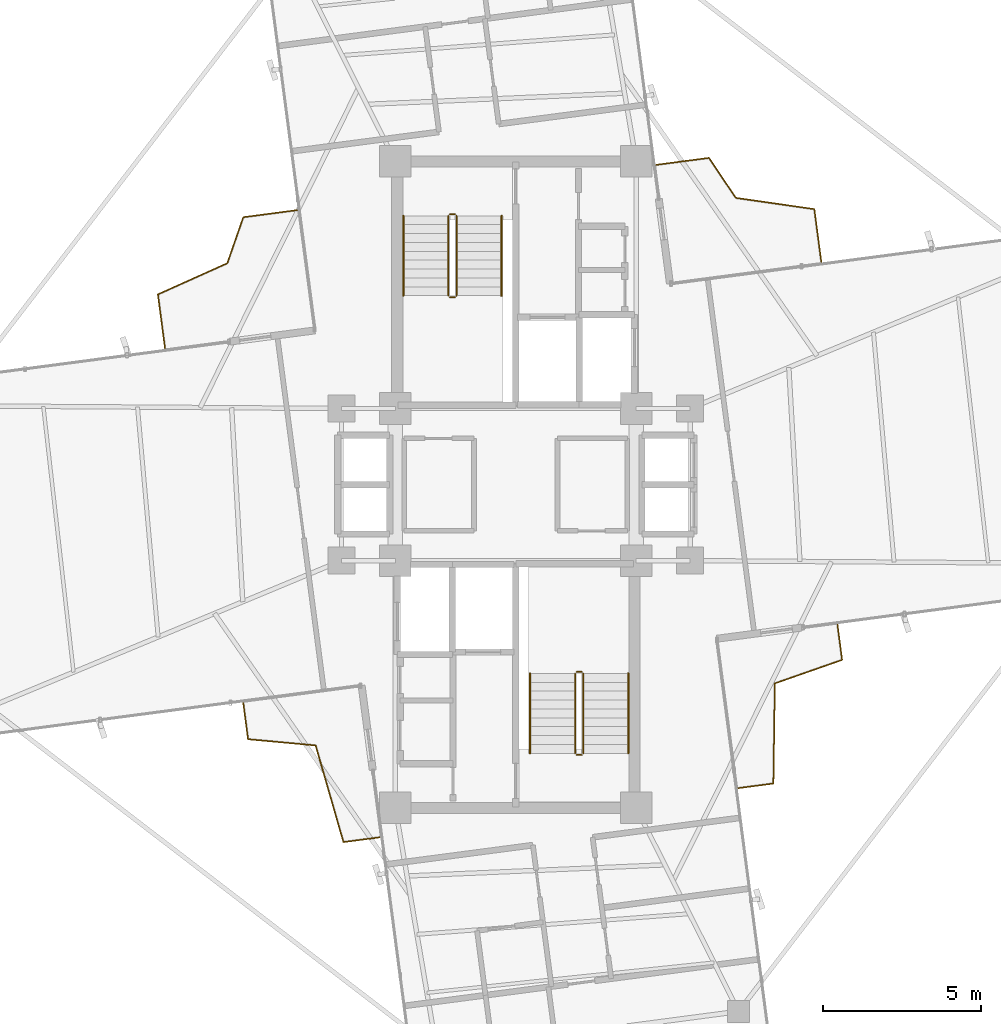
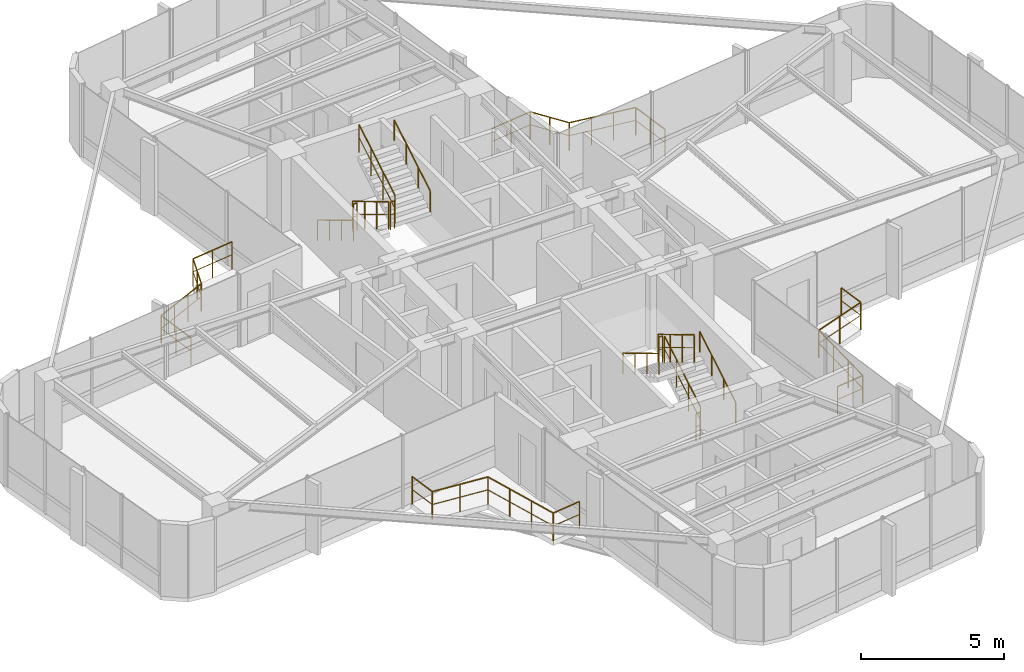
# One storey, part 21 of 21: 16 railings.
"""IFC4 building model written with IfcOpenShell, lengths in metres."""

import ifcopenshell
import ifcopenshell.guid

model = None  # the IFC model being written
_history = None  # IfcOwnerHistory: only IFC2X3 demands one
_inside = {}  # id of a spatial element -> (the spatial element, [elements in it])
_under = {}  # id of a project, library or spatial element -> (it, [spatial elements below it])
_declared = {}  # id of a project -> (the project, [libraries it declares])
_typed = {}  # id of a type object -> (the type object, [elements of that type])
_made_of = {}  # id of a material, layer set ... -> (it, [elements and type objects made of it])


def new_model(schema):
    """Start an empty IFC model of exactly this schema.

    Asked for "IFC4X3", IfcOpenShell would pick the latest addendum, in which some entities
    have other attributes; the version numbers below select the first issue.
    IFC2X3 requires an IfcOwnerHistory on every rooted entity: one is made here for all.
    """
    global model, _history
    if schema == "IFC4X3":
        model = ifcopenshell.file(schema_version=(4, 3, 0, 0))
    else:
        model = ifcopenshell.file(schema=schema)
    _inside.clear()
    _under.clear()
    _declared.clear()
    _typed.clear()
    _made_of.clear()
    _history = None
    if model.schema == "IFC2X3":
        org = make("IfcOrganization", Name="unknown")
        user = make(
            "IfcPersonAndOrganization",
            ThePerson=make("IfcPerson", FamilyName="unknown"),
            TheOrganization=org,
        )
        app = make(
            "IfcApplication",
            ApplicationDeveloper=org,
            Version="unknown",
            ApplicationFullName="unknown",
            ApplicationIdentifier="unknown",
        )
        _history = make(
            "IfcOwnerHistory",
            OwningUser=user,
            OwningApplication=app,
            ChangeAction="ADDED",
            CreationDate=0,
        )
    return model


def make(cls, **values):
    """One entity of the class cls with the attributes given. An attribute that is None is left unset."""
    return model.create_entity(
        cls, **{name: value for name, value in values.items() if value is not None}
    )


def rooted(cls, **values):
    """An entity with a GlobalId (a new one), such as an element, a storey or a relation."""
    return make(cls, GlobalId=ifcopenshell.guid.new(), OwnerHistory=_history, **values)


def si_unit(unit_type, name, prefix=None):
    """IfcSIUnit, for example si_unit("LENGTHUNIT", "METRE", prefix="MILLI")."""
    return make("IfcSIUnit", UnitType=unit_type, Prefix=prefix, Name=name)


def assignment(units):
    """IfcUnitAssignment: the units of a project."""
    return None if units is None else make("IfcUnitAssignment", Units=units)


def point(xyz):
    """IfcCartesianPoint."""
    return None if xyz is None else make("IfcCartesianPoint", Coordinates=xyz)


def direction(xyz):
    """IfcDirection."""
    return None if xyz is None else make("IfcDirection", DirectionRatios=xyz)


def frame(location, z_axis=None, x_axis=None):
    """IfcAxis2Placement3D, a coordinate frame: its origin and axes. An axis left out is left unset."""
    return make(
        "IfcAxis2Placement3D",
        Location=point(location),
        Axis=direction(z_axis),
        RefDirection=direction(x_axis),
    )


def frame_2d(location, x_axis=None):
    """IfcAxis2Placement2D, a coordinate frame in the plane: its origin and x axis."""
    return make(
        "IfcAxis2Placement2D", Location=point(location), RefDirection=direction(x_axis)
    )


def origin():
    """The frame at (0, 0, 0) with its axes left unset."""
    return frame((0.0, 0.0, 0.0))


def origin_2d():
    """The frame at (0, 0) in the plane with its x axis left unset."""
    return frame_2d((0.0, 0.0))


def place(relative_to, where):
    """IfcLocalPlacement: puts the frame where relative to a parent placement (None: the world)."""
    return make(
        "IfcLocalPlacement", PlacementRelTo=relative_to, RelativePlacement=where
    )


def context(
    kind, dimensions, precision=None, world=None, true_north=None, identifier=None
):
    """IfcGeometricRepresentationContext, for example the 3D "Model" context."""
    return make(
        "IfcGeometricRepresentationContext",
        ContextIdentifier=identifier,
        ContextType=kind,
        CoordinateSpaceDimension=dimensions,
        Precision=precision,
        WorldCoordinateSystem=world,
        TrueNorth=true_north,
    )


def subcontext(parent, identifier, kind, view, scale=None):
    """IfcGeometricRepresentationSubContext, for example "Body" below "Model"."""
    return make(
        "IfcGeometricRepresentationSubContext",
        ContextIdentifier=identifier,
        ContextType=kind,
        ParentContext=parent,
        TargetScale=scale,
        TargetView=view,
    )


def project(units=None, contexts=None):
    """IfcProject with its units and contexts."""
    return rooted(
        "IfcProject",
        Name="project",
        RepresentationContexts=contexts,
        UnitsInContext=assignment(units),
    )


def spatial(cls, under=None, at=None, **own):
    """A site, building, storey or space (cls), placed at a placement, below another one or the project."""
    s = rooted(cls, ObjectPlacement=at, **own)
    if under is not None:
        _under.setdefault(under.id(), (under, []))[1].append(s)
    return s


def profile(cls, at=None, kind="AREA", **sizes):
    """A parametric profile (cls). Its sizes go by their IFC names, for example OverallWidth=200.0."""
    return make(cls, ProfileType=kind, Position=at, **sizes)


def circle(**sizes):
    """IfcCircleProfileDef."""
    return profile("IfcCircleProfileDef", **sizes)


def extrude(swept, where, along, depth):
    """IfcExtrudedAreaSolid: the profile swept, set in the frame where, extruded along a direction by depth."""
    return make(
        "IfcExtrudedAreaSolid",
        SweptArea=swept,
        Position=where,
        ExtrudedDirection=direction(along),
        Depth=depth,
    )


def shape(context_of_items, identifier, shape_type, items):
    """IfcShapeRepresentation: the items that make up one representation, for example the "Body"."""
    return make(
        "IfcShapeRepresentation",
        ContextOfItems=context_of_items,
        RepresentationIdentifier=identifier,
        RepresentationType=shape_type,
        Items=items,
    )


def material(Name=None, Category=None):
    """IfcMaterial."""
    return make("IfcMaterial", Name=Name, Category=Category)


def made_of(thing, what):
    """Note that an element or type object is made of a material, layer set ...; save() writes the relation."""
    if what is not None:
        _made_of.setdefault(what.id(), (what, []))[1].append(thing)
    return thing


def type_object(cls, material=None, **own):
    """A type object (cls), such as IfcWallType, which elements share."""
    return made_of(rooted(cls, **own), material)


def element(
    cls,
    number,
    at=None,
    inside=None,
    cuts=None,
    type_object=None,
    material=None,
    context=None,
    identifier="Body",
    shape_type=None,
    held_by="IfcProductDefinitionShape",
    body=None,
    shapes=None,
    **own,
):
    """One element of the class cls, such as IfcWall. Its Tag is "e" and its number.

    at: its placement. inside: the storey or other place that contains it. cuts: it is an
    opening in that element (IfcRelVoidsElement). A single representation is given by context,
    identifier, shape_type and body (its items); several are given by shapes. held_by: the class
    of the entity that holds the representations. save() writes the other relations.
    """
    e = rooted(cls, Tag="e%d" % number, ObjectPlacement=at, **own)
    if body is not None:
        shapes = [shape(context, identifier, shape_type, body)]
    if shapes is not None:
        e.Representation = make(held_by, Representations=shapes)
    if inside is not None:
        _inside.setdefault(inside.id(), (inside, []))[1].append(e)
    if cuts is not None:
        rooted(
            "IfcRelVoidsElement", RelatingBuildingElement=cuts, RelatedOpeningElement=e
        )
    if type_object is not None:
        _typed.setdefault(type_object.id(), (type_object, []))[1].append(e)
    return made_of(e, material)


def aggregate(whole, parts):
    """IfcRelAggregates: a whole, such as a stair, and the parts it consists of."""
    return rooted("IfcRelAggregates", RelatingObject=whole, RelatedObjects=parts)


def save(model, path):
    """Write the relations noted so far, then the file.

    IfcRelAggregates (storeys below a building ...), IfcRelContainedInSpatialStructure (elements
    in a storey), IfcRelDefinesByType, IfcRelAssociatesMaterial and IfcRelDeclares: one each for
    every whole, place, type object, material and project.
    """
    for whole, parts in _under.values():
        aggregate(whole, parts)
    for where, things in _inside.values():
        rooted(
            "IfcRelContainedInSpatialStructure",
            RelatedElements=things,
            RelatingStructure=where,
        )
    for kind, things in _typed.values():
        rooted("IfcRelDefinesByType", RelatedObjects=things, RelatingType=kind)
    for what, things in _made_of.values():
        rooted("IfcRelAssociatesMaterial", RelatedObjects=things, RelatingMaterial=what)
    for by, libraries in _declared.values():
        rooted("IfcRelDeclares", RelatingContext=by, RelatedDefinitions=libraries)
    model.write(path)


model = new_model("IFC4")

# Units and contexts
model_context = context("Model", 3, precision=1e-05, world=origin(), true_north=direction((0.0, 1.0)))
body_context = subcontext(model_context, "Body", "Model", "MODEL_VIEW")
ifc_project = project(units=[si_unit("LENGTHUNIT", "METRE"), si_unit("AREAUNIT", "SQUARE_METRE"), si_unit("VOLUMEUNIT", "CUBIC_METRE"), si_unit("PLANEANGLEUNIT", "RADIAN"), si_unit("MASSUNIT", "GRAM", prefix="KILO")], contexts=[model_context])

# Site, building, storey
site_placement = place(None, origin())
site = spatial("IfcSite", under=ifc_project, at=site_placement, CompositionType="ELEMENT")
building_placement = place(site_placement, origin())
building = spatial("IfcBuilding", under=site, at=building_placement, Name="Sahyath Konkavel Grand Hotel", CompositionType="ELEMENT")
storey_placement = place(building_placement, frame((0.0, 0.0, 213.199951171875)))
storey = spatial("IfcBuildingStorey", under=building, at=storey_placement, Name="L59", CompositionType="ELEMENT", Elevation=213.199951171875)

# Railings
ifc_material_1 = material(Name="Anodised Bronze Aluminium", Category="aluminium")
railing_type_1 = type_object("IfcRailingType", Name="RLG-BALC-1200", PredefinedType="GUARDRAIL", material=ifc_material_1)
railing_1_placement = place(storey_placement, frame((9.64013671875, 7.0283203125, 0.0)))
element("IfcRailing", 1, at=railing_1_placement, inside=storey, type_object=railing_type_1, Name="L59 Winter-Garden Guard NE", PredefinedType="GUARDRAIL", context=body_context, shape_type="SweptSolid", body=[
    extrude(circle(Radius=0.02392578125, at=origin_2d()), frame((-0.000244140625, 0.001953125, 1.17578125), z_axis=(-0.130638907414, 0.991430015619, 0.0), x_axis=(-0.991430015619, -0.130638907414, 0.0)), (0.0, 0.0, 1.0), 1.67431640625),
    extrude(circle(Radius=0.01416015625, at=origin_2d()), frame((-0.000244140625, 0.001953125, 0.6240234375), z_axis=(-0.130638907414, 0.991430015619, 0.0), x_axis=(-0.991430015619, -0.130638907414, 0.0)), (0.0, 0.0, 1.0), 1.67431640625),
    extrude(circle(Radius=0.02392578125, at=origin_2d()), frame((-0.22119140625, 1.6640625, 1.17578125), z_axis=(-0.989871339029, 0.141967363044, 0.0), x_axis=(-0.141967363044, -0.989871339029, 0.0)), (0.0, 0.0, 1.0), 2.499755859375),
    extrude(circle(Radius=0.01416015625, at=origin_2d()), frame((-0.22119140625, 1.6640625, 0.6240234375), z_axis=(-0.989871339029, 0.141967363044, 0.0), x_axis=(-0.141967363044, -0.989871339029, 0.0)), (0.0, 0.0, 1.0), 2.499755859375),
    extrude(circle(Radius=0.02392578125, at=origin_2d()), frame((-2.698974609375, 2.02099609375, 1.17578125), z_axis=(-0.557885025535, 0.829918247952, 0.0), x_axis=(-0.829918247952, -0.557885025535, 0.0)), (0.0, 0.0, 1.0), 1.515380859375),
    extrude(circle(Radius=0.01416015625, at=origin_2d()), frame((-2.698974609375, 2.02099609375, 0.6240234375), z_axis=(-0.557885025535, 0.829918247952, 0.0), x_axis=(-0.829918247952, -0.557885025535, 0.0)), (0.0, 0.0, 1.0), 1.515380859375),
    extrude(circle(Radius=0.02392578125, at=origin_2d()), frame((-3.54736328125, 3.280029296875, 1.17578125), z_axis=(-0.991448847829, -0.130495908511, 0.0), x_axis=(0.130495908511, -0.991448847829, 0.0)), (0.0, 0.0, 1.0), 1.674072265625),
    extrude(circle(Radius=0.01416015625, at=origin_2d()), frame((-3.54736328125, 3.280029296875, 0.6240234375), z_axis=(-0.991448847829, -0.130495908511, 0.0), x_axis=(0.130495908511, -0.991448847829, 0.0)), (0.0, 0.0, 1.0), 1.674072265625),
    extrude(circle(Radius=0.02099609375, at=origin_2d()), origin(), (0.0, 0.0, 1.0), 1.15185546875),
    extrude(circle(Radius=0.02099609375, at=origin_2d()), frame((-0.109619140625, 0.83203125, 0.0)), (0.0, 0.0, 1.0), 1.15185546875),
    extrude(circle(Radius=0.02099609375, at=origin_2d()), frame((-0.21923828125, 1.663818359375, 0.0)), (0.0, 0.0, 1.0), 1.15185546875),
    extrude(circle(Radius=0.02099609375, at=origin_2d()), frame((-1.04541015625, 1.7822265625, 0.0)), (0.0, 0.0, 1.0), 1.15185546875),
    extrude(circle(Radius=0.02099609375, at=origin_2d()), frame((-1.87158203125, 1.90087890625, 0.0)), (0.0, 0.0, 1.0), 1.15185546875),
    extrude(circle(Radius=0.02099609375, at=origin_2d()), frame((-2.69775390625, 2.019287109375, 0.0)), (0.0, 0.0, 1.0), 1.15185546875),
    extrude(circle(Radius=0.02099609375, at=origin_2d()), frame((-3.12158203125, 2.64990234375, 0.0)), (0.0, 0.0, 1.0), 1.15185546875),
    extrude(circle(Radius=0.02099609375, at=origin_2d()), frame((-3.54541015625, 3.2802734375, 0.0)), (0.0, 0.0, 1.0), 1.15185546875),
    extrude(circle(Radius=0.02099609375, at=origin_2d()), frame((-4.37744140625, 3.1708984375, 0.0)), (0.0, 0.0, 1.0), 1.15185546875),
    extrude(circle(Radius=0.02099609375, at=origin_2d()), frame((-5.209228515625, 3.061279296875, 0.0)), (0.0, 0.0, 1.0), 1.15185546875),
])
railing_2_placement = place(storey_placement, frame((-6.8994140625, 8.66064453125, 0.0)))
element("IfcRailing", 2, at=railing_2_placement, inside=storey, type_object=railing_type_1, Name="L59 Winter-Garden Guard NW", PredefinedType="GUARDRAIL", context=body_context, shape_type="SweptSolid", body=[
    extrude(circle(Radius=0.02392578125, at=origin_2d()), frame((-0.001953125, -0.000244140625, 1.17578125), z_axis=(-0.991445563505, -0.130520858892, 0.0), x_axis=(0.130520858892, -0.991445563505, 0.0)), (0.0, 0.0, 1.0), 1.70947265625),
    extrude(circle(Radius=0.01416015625, at=origin_2d()), frame((-0.001953125, -0.000244140625, 0.6240234375), z_axis=(-0.991445563505, -0.130520858892, 0.0), x_axis=(0.130520858892, -0.991445563505, 0.0)), (0.0, 0.0, 1.0), 1.70947265625),
    extrude(circle(Radius=0.02392578125, at=origin_2d()), frame((-1.699462890625, -0.2255859375, 1.17578125), z_axis=(-0.328064828781, -0.944655211237, 0.0), x_axis=(0.944655211237, -0.328064828781, 0.0)), (0.0, 0.0, 1.0), 1.533447265625),
    extrude(circle(Radius=0.01416015625, at=origin_2d()), frame((-1.699462890625, -0.2255859375, 0.6240234375), z_axis=(-0.328064828781, -0.944655211237, 0.0), x_axis=(0.944655211237, -0.328064828781, 0.0)), (0.0, 0.0, 1.0), 1.533447265625),
    extrude(circle(Radius=0.02392578125, at=origin_2d()), frame((-2.204833984375, -1.6767578125, 1.17578125), z_axis=(-0.912202844279, -0.409738905756, 0.0), x_axis=(0.409738905756, -0.912202844279, 0.0)), (0.0, 0.0, 1.0), 2.397216796875),
    extrude(circle(Radius=0.01416015625, at=origin_2d()), frame((-2.204833984375, -1.6767578125, 0.6240234375), z_axis=(-0.912202844279, -0.409738905756, 0.0), x_axis=(0.409738905756, -0.912202844279, 0.0)), (0.0, 0.0, 1.0), 2.397216796875),
    extrude(circle(Radius=0.02392578125, at=origin_2d()), frame((-4.393310546875, -2.661865234375, 1.17578125), z_axis=(0.130660917588, -0.99142711513, 0.0), x_axis=(0.99142711513, 0.130660917588, 0.0)), (0.0, 0.0, 1.0), 1.70947265625),
    extrude(circle(Radius=0.01416015625, at=origin_2d()), frame((-4.393310546875, -2.661865234375, 0.6240234375), z_axis=(0.130660917588, -0.99142711513, 0.0), x_axis=(0.99142711513, 0.130660917588, 0.0)), (0.0, 0.0, 1.0), 1.70947265625),
    extrude(circle(Radius=0.02099609375, at=origin_2d()), origin(), (0.0, 0.0, 1.0), 1.15185546875),
    extrude(circle(Radius=0.02099609375, at=origin_2d()), frame((-0.849365234375, -0.11181640625, 0.0)), (0.0, 0.0, 1.0), 1.15185546875),
    extrude(circle(Radius=0.02099609375, at=origin_2d()), frame((-1.69873046875, -0.2236328125, 0.0)), (0.0, 0.0, 1.0), 1.15185546875),
    extrude(circle(Radius=0.02099609375, at=origin_2d()), frame((-1.950927734375, -0.94970703125, 0.0)), (0.0, 0.0, 1.0), 1.15185546875),
    extrude(circle(Radius=0.02099609375, at=origin_2d()), frame((-2.203125, -1.676025390625, 0.0)), (0.0, 0.0, 1.0), 1.15185546875),
    extrude(circle(Radius=0.02099609375, at=origin_2d()), frame((-2.933349609375, -2.00390625, 0.0)), (0.0, 0.0, 1.0), 1.15185546875),
    extrude(circle(Radius=0.02099609375, at=origin_2d()), frame((-3.663330078125, -2.33203125, 0.0)), (0.0, 0.0, 1.0), 1.15185546875),
    extrude(circle(Radius=0.02099609375, at=origin_2d()), frame((-4.3935546875, -2.659912109375, 0.0)), (0.0, 0.0, 1.0), 1.15185546875),
    extrude(circle(Radius=0.02099609375, at=origin_2d()), frame((-4.28173828125, -3.50927734375, 0.0)), (0.0, 0.0, 1.0), 1.15185546875),
    extrude(circle(Radius=0.02099609375, at=origin_2d()), frame((-4.169677734375, -4.358642578125, 0.0)), (0.0, 0.0, 1.0), 1.15185546875),
])
railing_3_placement = place(storey_placement, frame((-8.59912109375, -6.891357421875, 0.0)))
element("IfcRailing", 3, at=railing_3_placement, inside=storey, type_object=railing_type_1, Name="L59 Winter-Garden Guard SW", PredefinedType="GUARDRAIL", context=body_context, shape_type="SweptSolid", body=[
    extrude(circle(Radius=0.02392578125, at=origin_2d()), frame((0.000244140625, -0.001953125, 1.17578125), z_axis=(0.130542080409, -0.991442769525, 0.0), x_axis=(0.991442769525, 0.130542080409, 0.0)), (0.0, 0.0, 1.0), 1.14990234375),
    extrude(circle(Radius=0.01416015625, at=origin_2d()), frame((0.000244140625, -0.001953125, 0.6240234375), z_axis=(0.130542080409, -0.991442769525, 0.0), x_axis=(0.991442769525, 0.130542080409, 0.0)), (0.0, 0.0, 1.0), 1.14990234375),
    extrude(circle(Radius=0.02392578125, at=origin_2d()), frame((0.152587890625, -1.144287109375, 1.17578125), z_axis=(0.995833190206, -0.091193515587, 0.0), x_axis=(0.091193515587, 0.995833190206, 0.0)), (0.0, 0.0, 1.0), 2.1376953125),
    extrude(circle(Radius=0.01416015625, at=origin_2d()), frame((0.152587890625, -1.144287109375, 0.6240234375), z_axis=(0.995833190206, -0.091193515587, 0.0), x_axis=(0.091193515587, 0.995833190206, 0.0)), (0.0, 0.0, 1.0), 2.1376953125),
    extrude(circle(Radius=0.02392578125, at=origin_2d()), frame((2.283935546875, -1.34130859375, 1.17578125), z_axis=(0.276498339469, -0.961014395455, 0.0), x_axis=(0.961014395455, 0.276498339469, 0.0)), (0.0, 0.0, 1.0), 3.17041015625),
    extrude(circle(Radius=0.01416015625, at=origin_2d()), frame((2.283935546875, -1.34130859375, 0.6240234375), z_axis=(0.276498339469, -0.961014395455, 0.0), x_axis=(0.961014395455, 0.276498339469, 0.0)), (0.0, 0.0, 1.0), 3.17041015625),
    extrude(circle(Radius=0.02392578125, at=origin_2d()), frame((3.1630859375, -4.3896484375, 1.17578125), z_axis=(0.991442769525, 0.130542080409, 0.0), x_axis=(-0.130542080409, 0.991442769525, 0.0)), (0.0, 0.0, 1.0), 1.14990234375),
    extrude(circle(Radius=0.01416015625, at=origin_2d()), frame((3.1630859375, -4.3896484375, 0.6240234375), z_axis=(0.991442769525, 0.130542080409, 0.0), x_axis=(-0.130542080409, 0.991442769525, 0.0)), (0.0, 0.0, 1.0), 1.14990234375),
    extrude(circle(Radius=0.02099609375, at=origin_2d()), origin(), (0.0, 0.0, 1.0), 1.15185546875),
    extrude(circle(Radius=0.02099609375, at=origin_2d()), frame((0.150634765625, -1.14404296875, 0.0)), (0.0, 0.0, 1.0), 1.15185546875),
    extrude(circle(Radius=0.02099609375, at=origin_2d()), frame((1.217041015625, -1.24169921875, 0.0)), (0.0, 0.0, 1.0), 1.15185546875),
    extrude(circle(Radius=0.02099609375, at=origin_2d()), frame((2.283447265625, -1.33935546875, 0.0)), (0.0, 0.0, 1.0), 1.15185546875),
    extrude(circle(Radius=0.02099609375, at=origin_2d()), frame((2.575927734375, -2.356201171875, 0.0)), (0.0, 0.0, 1.0), 1.15185546875),
    extrude(circle(Radius=0.02099609375, at=origin_2d()), frame((2.86865234375, -3.373046875, 0.0)), (0.0, 0.0, 1.0), 1.15185546875),
    extrude(circle(Radius=0.02099609375, at=origin_2d()), frame((3.1611328125, -4.389892578125, 0.0)), (0.0, 0.0, 1.0), 1.15185546875),
    extrude(circle(Radius=0.02099609375, at=origin_2d()), frame((4.30517578125, -4.2392578125, 0.0)), (0.0, 0.0, 1.0), 1.15185546875),
])
railing_4_placement = place(storey_placement, frame((7.020263671875, -9.57861328125, 0.0)))
element("IfcRailing", 4, at=railing_4_placement, inside=storey, type_object=railing_type_1, Name="L59 Winter-Garden Guard SE", PredefinedType="GUARDRAIL", context=body_context, shape_type="SweptSolid", body=[
    extrude(circle(Radius=0.02392578125, at=origin_2d()), frame((0.001953125, 0.000244140625, 1.17578125), z_axis=(0.991447608989, 0.130505320312, 0.0), x_axis=(-0.130505320312, 0.991447608989, 0.0)), (0.0, 0.0, 1.0), 1.11474609375),
    extrude(circle(Radius=0.01416015625, at=origin_2d()), frame((0.001953125, 0.000244140625, 0.6240234375), z_axis=(0.991447608989, 0.130505320312, 0.0), x_axis=(-0.130505320312, 0.991447608989, 0.0)), (0.0, 0.0, 1.0), 1.11474609375),
    extrude(circle(Radius=0.02392578125, at=origin_2d()), frame((1.109130859375, 0.14794921875, 1.17578125), z_axis=(0.014681570463, 0.999892219936, 0.0), x_axis=(-0.999892219936, 0.014681570463, 0.0)), (0.0, 0.0, 1.0), 3.155517578125),
    extrude(circle(Radius=0.01416015625, at=origin_2d()), frame((1.109130859375, 0.14794921875, 0.6240234375), z_axis=(0.014681570463, 0.999892219936, 0.0), x_axis=(-0.999892219936, 0.014681570463, 0.0)), (0.0, 0.0, 1.0), 3.155517578125),
    extrude(circle(Radius=0.02392578125, at=origin_2d()), frame((1.157470703125, 3.305908203125, 1.17578125), z_axis=(0.943998853465, 0.329948730346, 0.0), x_axis=(-0.329948730346, 0.943998853465, 0.0)), (0.0, 0.0, 1.0), 2.2431640625),
    extrude(circle(Radius=0.01416015625, at=origin_2d()), frame((1.157470703125, 3.305908203125, 0.6240234375), z_axis=(0.943998853465, 0.329948730346, 0.0), x_axis=(-0.329948730346, 0.943998853465, 0.0)), (0.0, 0.0, 1.0), 2.2431640625),
    extrude(circle(Radius=0.02392578125, at=origin_2d()), frame((3.276611328125, 4.048583984375, 1.17578125), z_axis=(-0.130505320312, 0.991447608989, 0.0), x_axis=(-0.991447608989, -0.130505320312, 0.0)), (0.0, 0.0, 1.0), 1.11474609375),
    extrude(circle(Radius=0.01416015625, at=origin_2d()), frame((3.276611328125, 4.048583984375, 0.6240234375), z_axis=(-0.130505320312, 0.991447608989, 0.0), x_axis=(-0.991447608989, -0.130505320312, 0.0)), (0.0, 0.0, 1.0), 1.11474609375),
    extrude(circle(Radius=0.02099609375, at=origin_2d()), origin(), (0.0, 0.0, 1.0), 1.15185546875),
    extrude(circle(Radius=0.02099609375, at=origin_2d()), frame((1.109130859375, 0.14599609375, 0.0)), (0.0, 0.0, 1.0), 1.15185546875),
    extrude(circle(Radius=0.02099609375, at=origin_2d()), frame((1.12451171875, 1.198974609375, 0.0)), (0.0, 0.0, 1.0), 1.15185546875),
    extrude(circle(Radius=0.02099609375, at=origin_2d()), frame((1.14013671875, 2.252197265625, 0.0)), (0.0, 0.0, 1.0), 1.15185546875),
    extrude(circle(Radius=0.02099609375, at=origin_2d()), frame((1.155517578125, 3.30517578125, 0.0)), (0.0, 0.0, 1.0), 1.15185546875),
    extrude(circle(Radius=0.02099609375, at=origin_2d()), frame((2.21630859375, 3.67578125, 0.0)), (0.0, 0.0, 1.0), 1.15185546875),
    extrude(circle(Radius=0.02099609375, at=origin_2d()), frame((3.27685546875, 4.046630859375, 0.0)), (0.0, 0.0, 1.0), 1.15185546875),
    extrude(circle(Radius=0.02099609375, at=origin_2d()), frame((3.130859375, 5.15576171875, 0.0)), (0.0, 0.0, 1.0), 1.15185546875),
])
ifc_material_2 = material(Name="Steel E350", Category="steel")
railing_type_2 = type_object("IfcRailingType", Name="RLG-STAIR-GRD", PredefinedType="GUARDRAIL", material=ifc_material_2)
railing_5_placement = place(storey_placement, frame((-2.1298828125, 8.47998046875, 0.16748046875)))
element("IfcRailing", 5, at=railing_5_placement, inside=storey, type_object=railing_type_2, Name="L59 ST-1 stair guard 1", PredefinedType="GUARDRAIL", context=body_context, shape_type="SweptSolid", body=[
    extrude(circle(Radius=0.02392578125, at=origin_2d()), frame((0.0, -0.001708984375, 1.177001953125), z_axis=(0.0, -0.858159760407, 0.513382728203), x_axis=(1.0, 0.0, 0.0)), (0.0, 0.0, 1.0), 2.9326171875),
    extrude(circle(Radius=0.01416015625, at=origin_2d()), frame((0.0, -0.001708984375, 0.625), z_axis=(0.0, -0.858159760407, 0.513382728203), x_axis=(1.0, 0.0, 0.0)), (0.0, 0.0, 1.0), 2.9326171875),
    extrude(circle(Radius=0.02099609375, at=origin_2d()), origin(), (0.0, 0.0, 1.0), 1.15185546875),
    extrude(circle(Radius=0.02099609375, at=origin_2d()), frame((0.0, -0.840087890625, 0.50244140625)), (0.0, 0.0, 1.0), 1.15185546875),
    extrude(circle(Radius=0.02099609375, at=origin_2d()), frame((0.0, -1.679931640625, 1.005126953125)), (0.0, 0.0, 1.0), 1.15185546875),
    extrude(circle(Radius=0.02099609375, at=origin_2d()), frame((0.0, -2.52001953125, 1.507568359375)), (0.0, 0.0, 1.0), 1.15185546875),
])
railing_6_placement = place(storey_placement, frame((-2.080078125, 5.909912109375, 1.675048828125)))
element("IfcRailing", 6, at=railing_6_placement, inside=storey, type_object=railing_type_2, Name="L59 ST-1 stair guard 2", PredefinedType="GUARDRAIL", context=body_context, shape_type="SweptSolid", body=[
    extrude(circle(Radius=0.02392578125, at=origin_2d()), frame((0.001953125, 0.0, 1.17578125), z_axis=(1.0, 0.0, 0.0), x_axis=(0.0, 1.0, 0.0)), (0.0, 0.0, 1.0), 0.15625),
    extrude(circle(Radius=0.01416015625, at=origin_2d()), frame((0.001953125, 0.0, 0.6240234375), z_axis=(1.0, 0.0, 0.0), x_axis=(0.0, 1.0, 0.0)), (0.0, 0.0, 1.0), 0.15625),
    extrude(circle(Radius=0.02099609375, at=origin_2d()), origin(), (0.0, 0.0, 1.0), 1.15185546875),
    extrude(circle(Radius=0.02099609375, at=origin_2d()), frame((0.16015625, 0.0, 0.0)), (0.0, 0.0, 1.0), 1.15185546875),
])
railing_7_placement = place(storey_placement, frame((-1.8701171875, 5.9599609375, 1.842529296875)))
element("IfcRailing", 7, at=railing_7_placement, inside=storey, type_object=railing_type_2, Name="L59 ST-1 stair guard 3", PredefinedType="GUARDRAIL", context=body_context, shape_type="SweptSolid", body=[
    extrude(circle(Radius=0.02392578125, at=origin_2d()), frame((0.0, 0.001708984375, 1.177001953125), z_axis=(0.0, 0.858159760407, 0.513382728203), x_axis=(-1.0, 0.0, 0.0)), (0.0, 0.0, 1.0), 2.9326171875),
    extrude(circle(Radius=0.01416015625, at=origin_2d()), frame((0.0, 0.001708984375, 0.625), z_axis=(0.0, 0.858159760407, 0.513382728203), x_axis=(-1.0, 0.0, 0.0)), (0.0, 0.0, 1.0), 2.9326171875),
    extrude(circle(Radius=0.02099609375, at=origin_2d()), origin(), (0.0, 0.0, 1.0), 1.15185546875),
    extrude(circle(Radius=0.02099609375, at=origin_2d()), frame((0.0, 0.840087890625, 0.50244140625)), (0.0, 0.0, 1.0), 1.15185546875),
    extrude(circle(Radius=0.02099609375, at=origin_2d()), frame((0.0, 1.679931640625, 1.005126953125)), (0.0, 0.0, 1.0), 1.15185546875),
    extrude(circle(Radius=0.02099609375, at=origin_2d()), frame((0.0, 2.52001953125, 1.507568359375)), (0.0, 0.0, 1.0), 1.15185546875),
])
railing_8_placement = place(storey_placement, frame((-2.080078125, 8.530029296875, 0.0)))
element("IfcRailing", 8, at=railing_8_placement, inside=storey, type_object=railing_type_2, Name="L59 ST-1 stair guard 4", PredefinedType="GUARDRAIL", context=body_context, shape_type="SweptSolid", body=[
    extrude(circle(Radius=0.02392578125, at=origin_2d()), frame((0.001953125, 0.0, 1.17578125), z_axis=(1.0, 0.0, 0.0), x_axis=(0.0, 1.0, 0.0)), (0.0, 0.0, 1.0), 0.15625),
    extrude(circle(Radius=0.01416015625, at=origin_2d()), frame((0.001953125, 0.0, 0.6240234375), z_axis=(1.0, 0.0, 0.0), x_axis=(0.0, 1.0, 0.0)), (0.0, 0.0, 1.0), 0.15625),
    extrude(circle(Radius=0.02099609375, at=origin_2d()), origin(), (0.0, 0.0, 1.0), 1.15185546875),
    extrude(circle(Radius=0.02099609375, at=origin_2d()), frame((0.16015625, 0.0, 0.0)), (0.0, 0.0, 1.0), 1.15185546875),
])
railing_9_placement = place(storey_placement, frame((2.1298828125, -8.47998046875, 0.16748046875)))
element("IfcRailing", 9, at=railing_9_placement, inside=storey, type_object=railing_type_2, Name="L59 ST-2 stair guard 1", PredefinedType="GUARDRAIL", context=body_context, shape_type="SweptSolid", body=[
    extrude(circle(Radius=0.02392578125, at=origin_2d()), frame((0.0, 0.001708984375, 1.177001953125), z_axis=(0.0, 0.858159760407, 0.513382728203), x_axis=(-1.0, 0.0, 0.0)), (0.0, 0.0, 1.0), 2.9326171875),
    extrude(circle(Radius=0.01416015625, at=origin_2d()), frame((0.0, 0.001708984375, 0.625), z_axis=(0.0, 0.858159760407, 0.513382728203), x_axis=(-1.0, 0.0, 0.0)), (0.0, 0.0, 1.0), 2.9326171875),
    extrude(circle(Radius=0.02099609375, at=origin_2d()), origin(), (0.0, 0.0, 1.0), 1.15185546875),
    extrude(circle(Radius=0.02099609375, at=origin_2d()), frame((0.0, 0.840087890625, 0.50244140625)), (0.0, 0.0, 1.0), 1.15185546875),
    extrude(circle(Radius=0.02099609375, at=origin_2d()), frame((0.0, 1.679931640625, 1.005126953125)), (0.0, 0.0, 1.0), 1.15185546875),
    extrude(circle(Radius=0.02099609375, at=origin_2d()), frame((0.0, 2.52001953125, 1.507568359375)), (0.0, 0.0, 1.0), 1.15185546875),
])
railing_10_placement = place(storey_placement, frame((2.080078125, -5.909912109375, 1.675048828125)))
element("IfcRailing", 10, at=railing_10_placement, inside=storey, type_object=railing_type_2, Name="L59 ST-2 stair guard 2", PredefinedType="GUARDRAIL", context=body_context, shape_type="SweptSolid", body=[
    extrude(circle(Radius=0.02392578125, at=origin_2d()), frame((-0.001953125, 0.0, 1.17578125), z_axis=(-1.0, 0.0, 0.0), x_axis=(0.0, -1.0, 0.0)), (0.0, 0.0, 1.0), 0.15625),
    extrude(circle(Radius=0.01416015625, at=origin_2d()), frame((-0.001953125, 0.0, 0.6240234375), z_axis=(-1.0, 0.0, 0.0), x_axis=(0.0, -1.0, 0.0)), (0.0, 0.0, 1.0), 0.15625),
    extrude(circle(Radius=0.02099609375, at=origin_2d()), origin(), (0.0, 0.0, 1.0), 1.15185546875),
    extrude(circle(Radius=0.02099609375, at=origin_2d()), frame((-0.16015625, 0.0, 0.0)), (0.0, 0.0, 1.0), 1.15185546875),
])
railing_11_placement = place(storey_placement, frame((1.8701171875, -5.9599609375, 1.842529296875)))
element("IfcRailing", 11, at=railing_11_placement, inside=storey, type_object=railing_type_2, Name="L59 ST-2 stair guard 3", PredefinedType="GUARDRAIL", context=body_context, shape_type="SweptSolid", body=[
    extrude(circle(Radius=0.02392578125, at=origin_2d()), frame((0.0, -0.001708984375, 1.177001953125), z_axis=(0.0, -0.858159760407, 0.513382728203), x_axis=(1.0, 0.0, 0.0)), (0.0, 0.0, 1.0), 2.9326171875),
    extrude(circle(Radius=0.01416015625, at=origin_2d()), frame((0.0, -0.001708984375, 0.625), z_axis=(0.0, -0.858159760407, 0.513382728203), x_axis=(1.0, 0.0, 0.0)), (0.0, 0.0, 1.0), 2.9326171875),
    extrude(circle(Radius=0.02099609375, at=origin_2d()), origin(), (0.0, 0.0, 1.0), 1.15185546875),
    extrude(circle(Radius=0.02099609375, at=origin_2d()), frame((0.0, -0.840087890625, 0.50244140625)), (0.0, 0.0, 1.0), 1.15185546875),
    extrude(circle(Radius=0.02099609375, at=origin_2d()), frame((0.0, -1.679931640625, 1.005126953125)), (0.0, 0.0, 1.0), 1.15185546875),
    extrude(circle(Radius=0.02099609375, at=origin_2d()), frame((0.0, -2.52001953125, 1.507568359375)), (0.0, 0.0, 1.0), 1.15185546875),
])
railing_12_placement = place(storey_placement, frame((2.080078125, -8.530029296875, 0.0)))
element("IfcRailing", 12, at=railing_12_placement, inside=storey, type_object=railing_type_2, Name="L59 ST-2 stair guard 4", PredefinedType="GUARDRAIL", context=body_context, shape_type="SweptSolid", body=[
    extrude(circle(Radius=0.02392578125, at=origin_2d()), frame((-0.001953125, 0.0, 1.17578125), z_axis=(-1.0, 0.0, 0.0), x_axis=(0.0, -1.0, 0.0)), (0.0, 0.0, 1.0), 0.15625),
    extrude(circle(Radius=0.01416015625, at=origin_2d()), frame((-0.001953125, 0.0, 0.6240234375), z_axis=(-1.0, 0.0, 0.0), x_axis=(0.0, -1.0, 0.0)), (0.0, 0.0, 1.0), 0.15625),
    extrude(circle(Radius=0.02099609375, at=origin_2d()), origin(), (0.0, 0.0, 1.0), 1.15185546875),
    extrude(circle(Radius=0.02099609375, at=origin_2d()), frame((-0.16015625, 0.0, 0.0)), (0.0, 0.0, 1.0), 1.15185546875),
])
railing_type_3 = type_object("IfcRailingType", Name="RLG-STAIR-HND", PredefinedType="HANDRAIL", material=ifc_material_1)
railing_13_placement = place(storey_placement, frame((-3.550048828125, 8.47998046875, 0.16748046875)))
element("IfcRailing", 13, at=railing_13_placement, inside=storey, type_object=railing_type_3, Name="L59 ST-1 stair handrail 1", PredefinedType="HANDRAIL", context=body_context, shape_type="SweptSolid", body=[
    extrude(circle(Radius=0.02392578125, at=origin_2d()), frame((0.0, -0.001708984375, 0.876953125), z_axis=(0.0, -0.858159760407, 0.513382728203), x_axis=(1.0, 0.0, 0.0)), (0.0, 0.0, 1.0), 2.9326171875),
    extrude(circle(Radius=0.02099609375, at=origin_2d()), origin(), (0.0, 0.0, 1.0), 0.851806640625),
    extrude(circle(Radius=0.02099609375, at=origin_2d()), frame((0.0, -0.840087890625, 0.50244140625)), (0.0, 0.0, 1.0), 0.851806640625),
    extrude(circle(Radius=0.02099609375, at=origin_2d()), frame((0.0, -1.679931640625, 1.005126953125)), (0.0, 0.0, 1.0), 0.851806640625),
    extrude(circle(Radius=0.02099609375, at=origin_2d()), frame((0.0, -2.52001953125, 1.507568359375)), (0.0, 0.0, 1.0), 0.851806640625),
])
for number, where, name in (
    (14, (-0.449951171875, 5.9599609375, 1.842529296875), "L59 ST-1 stair handrail 2"),
    (15, (3.550048828125, -8.47998046875, 0.16748046875), "L59 ST-2 stair handrail 1"),
):
    element("IfcRailing", number, at=place(storey_placement, frame(where)), inside=storey, type_object=railing_type_3, Name=name, PredefinedType="HANDRAIL", context=body_context, shape_type="SweptSolid", body=[
        extrude(circle(Radius=0.02392578125, at=origin_2d()), frame((0.0, 0.001708984375, 0.876953125), z_axis=(0.0, 0.858159760407, 0.513382728203), x_axis=(-1.0, 0.0, 0.0)), (0.0, 0.0, 1.0), 2.9326171875),
        extrude(circle(Radius=0.02099609375, at=origin_2d()), origin(), (0.0, 0.0, 1.0), 0.851806640625),
        extrude(circle(Radius=0.02099609375, at=origin_2d()), frame((0.0, 0.840087890625, 0.50244140625)), (0.0, 0.0, 1.0), 0.851806640625),
        extrude(circle(Radius=0.02099609375, at=origin_2d()), frame((0.0, 1.679931640625, 1.005126953125)), (0.0, 0.0, 1.0), 0.851806640625),
        extrude(circle(Radius=0.02099609375, at=origin_2d()), frame((0.0, 2.52001953125, 1.507568359375)), (0.0, 0.0, 1.0), 0.851806640625),
    ])
railing_14_placement = place(storey_placement, frame((0.449951171875, -5.9599609375, 1.842529296875)))
element("IfcRailing", 16, at=railing_14_placement, inside=storey, type_object=railing_type_3, Name="L59 ST-2 stair handrail 2", PredefinedType="HANDRAIL", context=body_context, shape_type="SweptSolid", body=[
    extrude(circle(Radius=0.02392578125, at=origin_2d()), frame((0.0, -0.001708984375, 0.876953125), z_axis=(0.0, -0.858159760407, 0.513382728203), x_axis=(1.0, 0.0, 0.0)), (0.0, 0.0, 1.0), 2.9326171875),
    extrude(circle(Radius=0.02099609375, at=origin_2d()), origin(), (0.0, 0.0, 1.0), 0.851806640625),
    extrude(circle(Radius=0.02099609375, at=origin_2d()), frame((0.0, -0.840087890625, 0.50244140625)), (0.0, 0.0, 1.0), 0.851806640625),
    extrude(circle(Radius=0.02099609375, at=origin_2d()), frame((0.0, -1.679931640625, 1.005126953125)), (0.0, 0.0, 1.0), 0.851806640625),
    extrude(circle(Radius=0.02099609375, at=origin_2d()), frame((0.0, -2.52001953125, 1.507568359375)), (0.0, 0.0, 1.0), 0.851806640625),
])

save(model, "model.ifc")
